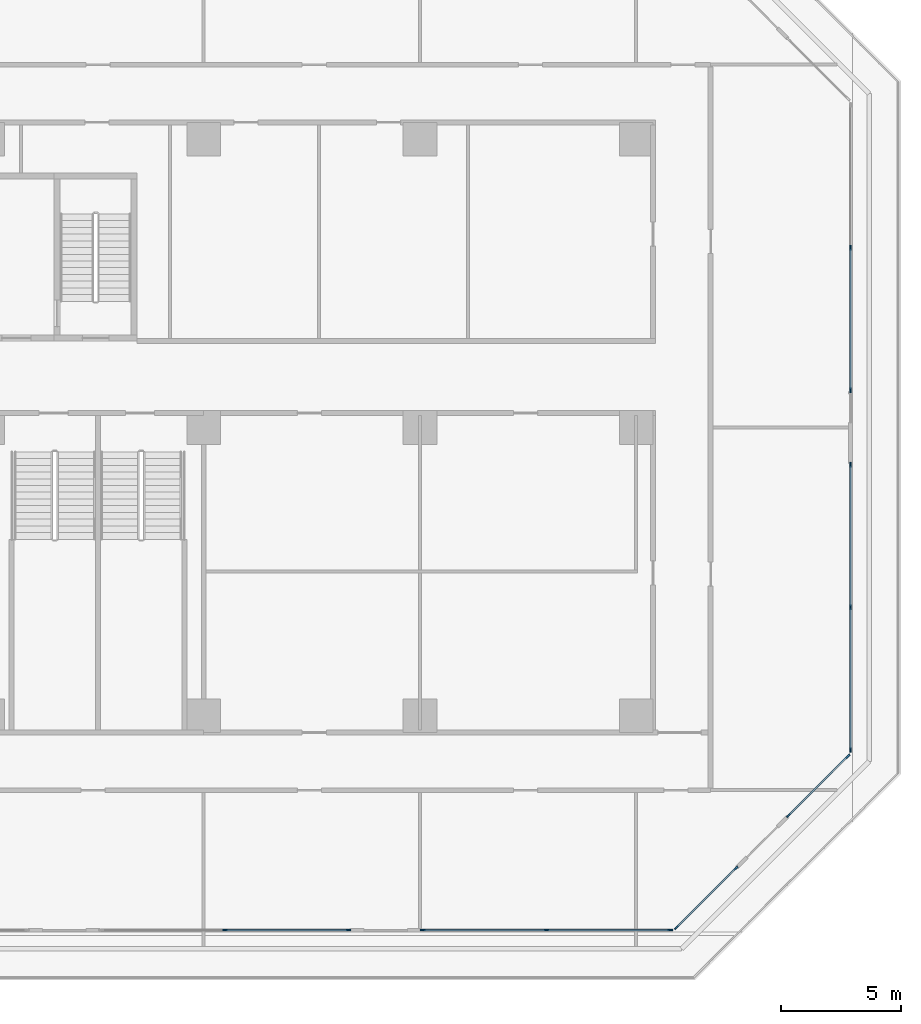
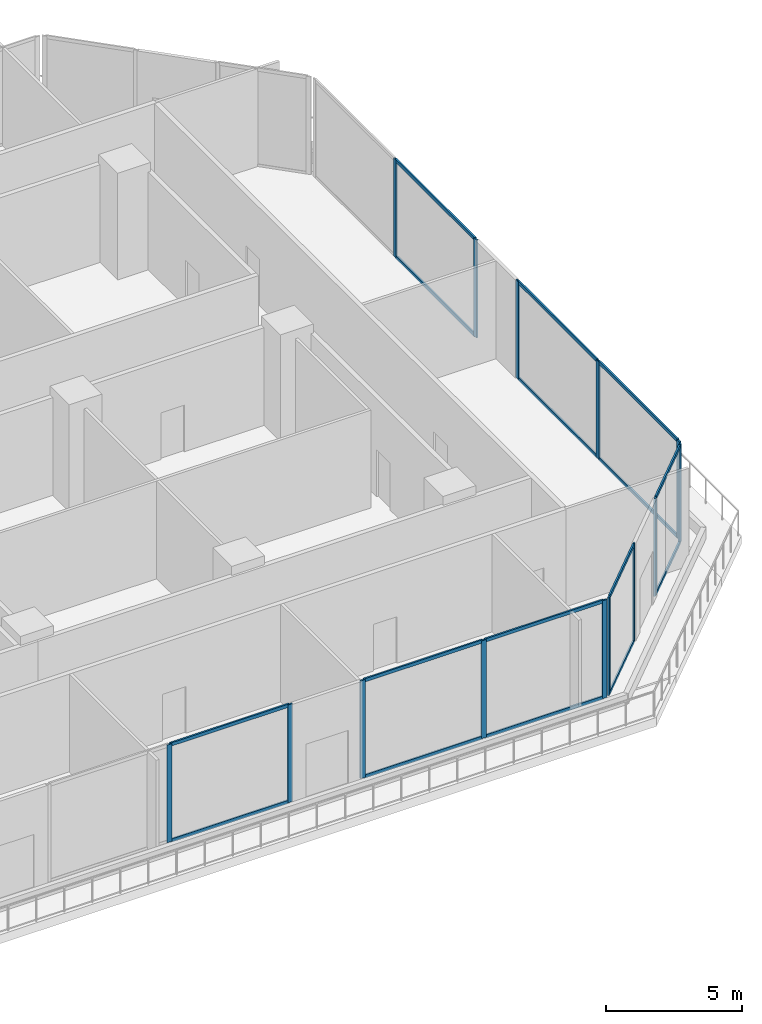
# One storey, part 6 of 26: 30 members, 6 elements without a shape of their own.
"""IFC4 building model written with IfcOpenShell, lengths in metres."""

from ifc_helpers import new_model, si_unit, direction, frame, origin, origin_2d, place, context, subcontext, project, spatial, rectangle, extrude, material, layer, layer_set, material_profile, profile_set, type_object, element, aggregate, save


model = new_model("IFC4")

# Units and contexts
model_context = context("Model", 3, precision=1e-05, world=origin(), true_north=direction((0.0, 1.0)))
body_context = subcontext(model_context, "Body", "Model", "MODEL_VIEW")
ifc_project = project(units=[si_unit("LENGTHUNIT", "METRE"), si_unit("AREAUNIT", "SQUARE_METRE"), si_unit("VOLUMEUNIT", "CUBIC_METRE"), si_unit("PLANEANGLEUNIT", "RADIAN"), si_unit("MASSUNIT", "GRAM", prefix="KILO")], contexts=[model_context])

# Site, building, storey
site_placement = place(None, origin())
site = spatial("IfcSite", under=ifc_project, at=site_placement, CompositionType="ELEMENT")
building_placement = place(site_placement, origin())
building = spatial("IfcBuilding", under=site, at=building_placement, Name="Chenar Terraces", CompositionType="ELEMENT")
storey_placement = place(building_placement, frame((0.0, 0.0, 16.800048828125)))
storey = spatial("IfcBuildingStorey", under=building, at=storey_placement, Name="L03", CompositionType="ELEMENT", Elevation=16.800048828125)

# Curtain wall, members
ifc_material_1 = material(Name="Aluminium framed glazing", Category="aluminium")
ifc_layer = layer(ifc_material_1, 0.14990234375)
ifc_layer_set = layer_set([ifc_layer], Name="Aluminium framed glazing")
curtain_wall_type = type_object("IfcCurtainWallType", Name="School curtain wall", PredefinedType="NOTDEFINED", material=ifc_layer_set)
placement = place(storey_placement, origin())
curtain_wall_1 = element("IfcCurtainWall", 1, at=placement, inside=storey, type_object=curtain_wall_type, Name="School curtain wall", PredefinedType="NOTDEFINED")
ifc_material_2 = material(Name="Aluminium", Category="aluminium")
ifc_material_profile_1 = material_profile(ifc_material_2, rectangle(XDim=0.070068359375, YDim=0.199951171875, at=origin_2d()), Name="School glazing mullion 70 x 200")
ifc_profile_set_1 = profile_set([ifc_material_profile_1], Name="Aluminium")
member_type_1 = type_object("IfcMemberType", Name="School glazing mullion 70 x 200", PredefinedType="MULLION", material=ifc_profile_set_1)
member_1_placement = place(storey_placement, frame((54.882568359375, -8.925048828125, 0.0), z_axis=(0.0, 0.0, 1.0), x_axis=(0.0, 1.0, 0.0)))
member_1 = element("IfcMember", 2, at=member_1_placement, type_object=member_type_1, Name="CW2-07c3 mullion 2", PredefinedType="MULLION", context=body_context, shape_type="SweptSolid", body=[
    extrude(rectangle(XDim=0.070068359375, YDim=0.199951171875, at=origin_2d()), origin(), (0.0, 0.0, 1.0), 4.39990234375),
])
member_2_placement = place(storey_placement, frame((60.0263671875, -8.925048828125, 0.0), z_axis=(0.0, 0.0, 1.0), x_axis=(0.0, 1.0, 0.0)))
member_2 = element("IfcMember", 3, at=member_2_placement, type_object=member_type_1, Name="CW2-07c3 mullion 3", PredefinedType="MULLION", context=body_context, shape_type="SweptSolid", body=[
    extrude(rectangle(XDim=0.070068359375, YDim=0.199951171875, at=origin_2d()), origin(), (0.0, 0.0, 1.0), 4.39990234375),
])

curtain_wall_2 = element("IfcCurtainWall", 4, at=placement, inside=storey, type_object=curtain_wall_type, Name="School curtain wall", PredefinedType="NOTDEFINED")
member_3_placement = place(storey_placement, frame((63.12158203125, -8.925048828125, 0.0), z_axis=(0.0, 0.0, 1.0), x_axis=(0.0, 1.0, 0.0)))
member_3 = element("IfcMember", 5, at=member_3_placement, type_object=member_type_1, Name="CW2-07c4 mullion 1", PredefinedType="MULLION", context=body_context, shape_type="SweptSolid", body=[
    extrude(rectangle(XDim=0.070068359375, YDim=0.199951171875, at=origin_2d()), origin(), (0.0, 0.0, 1.0), 4.39990234375),
])
member_4_placement = place(storey_placement, frame((68.271484375, -8.925048828125, 0.0), z_axis=(0.0, 0.0, 1.0), x_axis=(0.0, 1.0, 0.0)))
member_4 = element("IfcMember", 6, at=member_4_placement, type_object=member_type_1, Name="CW2-07c4 mullion 2", PredefinedType="MULLION", context=body_context, shape_type="SweptSolid", body=[
    extrude(rectangle(XDim=0.070068359375, YDim=0.199951171875, at=origin_2d()), origin(), (0.0, 0.0, 1.0), 4.39990234375),
])
member_5_placement = place(storey_placement, frame((73.421630859375, -8.925048828125, 0.0), z_axis=(0.0, 0.0, 1.0), x_axis=(0.0, 1.0, 0.0)))
member_5 = element("IfcMember", 7, at=member_5_placement, type_object=member_type_1, Name="CW2-07c4 mullion 3", PredefinedType="MULLION", context=body_context, shape_type="SweptSolid", body=[
    extrude(rectangle(XDim=0.070068359375, YDim=0.199951171875, at=origin_2d()), origin(), (0.0, 0.0, 1.0), 4.39990234375),
])

curtain_wall_3 = element("IfcCurtainWall", 8, at=placement, inside=storey, type_object=curtain_wall_type, Name="School curtain wall", PredefinedType="NOTDEFINED")
member_6_placement = place(storey_placement, frame((73.684326171875, -8.816162109375, 0.0), z_axis=(0.0, 0.0, 1.0), x_axis=(-0.707106781187, 0.707106781187, 0.0)))
member_6 = element("IfcMember", 9, at=member_6_placement, type_object=member_type_1, Name="CW2-08c0 mullion 1", PredefinedType="MULLION", context=body_context, shape_type="SweptSolid", body=[
    extrude(rectangle(XDim=0.070068359375, YDim=0.199951171875, at=origin_2d()), origin(), (0.0, 0.0, 1.0), 4.39990234375),
])
member_7_placement = place(storey_placement, frame((76.156005859375, -6.344482421875, 0.0), z_axis=(0.0, 0.0, 1.0), x_axis=(-0.707106781187, 0.707106781187, 0.0)))
member_7 = element("IfcMember", 10, at=member_7_placement, type_object=member_type_1, Name="CW2-08c0 mullion 2", PredefinedType="MULLION", context=body_context, shape_type="SweptSolid", body=[
    extrude(rectangle(XDim=0.070068359375, YDim=0.199951171875, at=origin_2d()), origin(), (0.0, 0.0, 1.0), 4.39990234375),
])

curtain_wall_4 = element("IfcCurtainWall", 11, at=placement, inside=storey, type_object=curtain_wall_type, Name="School curtain wall", PredefinedType="NOTDEFINED")
member_8_placement = place(storey_placement, frame((78.344482421875, -4.156005859375, 0.0), z_axis=(0.0, 0.0, 1.0), x_axis=(-0.707106781187, 0.707106781187, 0.0)))
member_8 = element("IfcMember", 12, at=member_8_placement, type_object=member_type_1, Name="CW2-08c1 mullion 1", PredefinedType="MULLION", context=body_context, shape_type="SweptSolid", body=[
    extrude(rectangle(XDim=0.070068359375, YDim=0.199951171875, at=origin_2d()), origin(), (0.0, 0.0, 1.0), 4.39990234375),
])
member_9_placement = place(storey_placement, frame((80.816162109375, -1.684326171875, 0.0), z_axis=(0.0, 0.0, 1.0), x_axis=(-0.707106781187, 0.707106781187, 0.0)))
member_9 = element("IfcMember", 13, at=member_9_placement, type_object=member_type_1, Name="CW2-08c1 mullion 2", PredefinedType="MULLION", context=body_context, shape_type="SweptSolid", body=[
    extrude(rectangle(XDim=0.070068359375, YDim=0.199951171875, at=origin_2d()), origin(), (0.0, 0.0, 1.0), 4.39990234375),
])

curtain_wall_5 = element("IfcCurtainWall", 14, at=placement, inside=storey, type_object=curtain_wall_type, Name="School curtain wall", PredefinedType="NOTDEFINED")
member_10_placement = place(storey_placement, frame((80.925048828125, -1.421630859375, 0.0), z_axis=(0.0, 0.0, 1.0), x_axis=(-1.0, 0.0, 0.0)))
member_10 = element("IfcMember", 15, at=member_10_placement, type_object=member_type_1, Name="CW2-09c0 mullion 1", PredefinedType="MULLION", context=body_context, shape_type="SweptSolid", body=[
    extrude(rectangle(XDim=0.070068359375, YDim=0.199951171875, at=origin_2d()), origin(), (0.0, 0.0, 1.0), 4.39990234375),
])
member_11_placement = place(storey_placement, frame((80.925048828125, 4.515380859375, 0.0), z_axis=(0.0, 0.0, 1.0), x_axis=(-1.0, 0.0, 0.0)))
member_11 = element("IfcMember", 16, at=member_11_placement, type_object=member_type_1, Name="CW2-09c0 mullion 2", PredefinedType="MULLION", context=body_context, shape_type="SweptSolid", body=[
    extrude(rectangle(XDim=0.070068359375, YDim=0.199951171875, at=origin_2d()), origin(), (0.0, 0.0, 1.0), 4.39990234375),
])
member_12_placement = place(storey_placement, frame((80.925048828125, 10.452392578125, 0.0), z_axis=(0.0, 0.0, 1.0), x_axis=(-1.0, 0.0, 0.0)))
member_12 = element("IfcMember", 17, at=member_12_placement, type_object=member_type_1, Name="CW2-09c0 mullion 3", PredefinedType="MULLION", context=body_context, shape_type="SweptSolid", body=[
    extrude(rectangle(XDim=0.070068359375, YDim=0.199951171875, at=origin_2d()), origin(), (0.0, 0.0, 1.0), 4.39990234375),
])

curtain_wall_6 = element("IfcCurtainWall", 18, at=placement, inside=storey, type_object=curtain_wall_type, Name="School curtain wall", PredefinedType="NOTDEFINED")
member_13_placement = place(storey_placement, frame((80.925048828125, 13.547607421875, 0.0), z_axis=(0.0, 0.0, 1.0), x_axis=(-1.0, 0.0, 0.0)))
member_13 = element("IfcMember", 19, at=member_13_placement, type_object=member_type_1, Name="CW2-09c1 mullion 1", PredefinedType="MULLION", context=body_context, shape_type="SweptSolid", body=[
    extrude(rectangle(XDim=0.070068359375, YDim=0.199951171875, at=origin_2d()), origin(), (0.0, 0.0, 1.0), 4.39990234375),
])
member_14_placement = place(storey_placement, frame((80.925048828125, 19.484619140625, 0.0), z_axis=(0.0, 0.0, 1.0), x_axis=(-1.0, 0.0, 0.0)))
member_14 = element("IfcMember", 20, at=member_14_placement, type_object=member_type_1, Name="CW2-09c1 mullion 2", PredefinedType="MULLION", context=body_context, shape_type="SweptSolid", body=[
    extrude(rectangle(XDim=0.070068359375, YDim=0.199951171875, at=origin_2d()), origin(), (0.0, 0.0, 1.0), 4.39990234375),
])

# Member
ifc_material_3 = material(Name="Aluminium", Category="aluminium")
ifc_material_profile_2 = material_profile(ifc_material_3, rectangle(XDim=0.070068359375, YDim=0.14990234375, at=origin_2d()), Name="School glazing transom 70 x 150")
ifc_profile_set_2 = profile_set([ifc_material_profile_2], Name="Aluminium")
member_type_2 = type_object("IfcMemberType", Name="School glazing transom 70 x 150", PredefinedType="USERDEFINED", material=ifc_profile_set_2)
member_15_placement = place(storey_placement, frame((54.917724609375, -8.925048828125, 0.034912109375), z_axis=(1.0, 0.0, 0.0), x_axis=(0.0, 1.0, 0.0)))
member_15 = element("IfcMember", 21, at=member_15_placement, type_object=member_type_2, Name="CW2-07c3 transom 2.1", ObjectType="TRANSOM", PredefinedType="USERDEFINED", context=body_context, shape_type="SweptSolid", body=[
    extrude(rectangle(XDim=0.070068359375, YDim=0.14990234375, at=origin_2d()), origin(), (0.0, 0.0, 1.0), 5.07373046875),
])

member_16_placement = place(storey_placement, frame((54.917724609375, -8.925048828125, 4.364990234375), z_axis=(1.0, 0.0, 0.0), x_axis=(0.0, 1.0, 0.0)))
member_16 = element("IfcMember", 22, at=member_16_placement, type_object=member_type_2, Name="CW2-07c3 transom 2.2", ObjectType="TRANSOM", PredefinedType="USERDEFINED", context=body_context, shape_type="SweptSolid", body=[
    extrude(rectangle(XDim=0.070068359375, YDim=0.14990234375, at=origin_2d()), origin(), (0.0, 0.0, 1.0), 5.07373046875),
])

aggregate(curtain_wall_1, [member_1, member_2, member_15, member_16])

member_17_placement = place(storey_placement, frame((63.156494140625, -8.925048828125, 0.034912109375), z_axis=(1.0, 0.0, 0.0), x_axis=(0.0, 1.0, 0.0)))
member_17 = element("IfcMember", 23, at=member_17_placement, type_object=member_type_2, Name="CW2-07c4 transom 1.1", ObjectType="TRANSOM", PredefinedType="USERDEFINED", context=body_context, shape_type="SweptSolid", body=[
    extrude(rectangle(XDim=0.070068359375, YDim=0.14990234375, at=origin_2d()), origin(), (0.0, 0.0, 1.0), 5.080078125),
])

member_18_placement = place(storey_placement, frame((63.156494140625, -8.925048828125, 4.364990234375), z_axis=(1.0, 0.0, 0.0), x_axis=(0.0, 1.0, 0.0)))
member_18 = element("IfcMember", 24, at=member_18_placement, type_object=member_type_2, Name="CW2-07c4 transom 1.2", ObjectType="TRANSOM", PredefinedType="USERDEFINED", context=body_context, shape_type="SweptSolid", body=[
    extrude(rectangle(XDim=0.070068359375, YDim=0.14990234375, at=origin_2d()), origin(), (0.0, 0.0, 1.0), 5.080078125),
])

member_19_placement = place(storey_placement, frame((68.306640625, -8.925048828125, 0.034912109375), z_axis=(1.0, 0.0, 0.0), x_axis=(0.0, 1.0, 0.0)))
member_19 = element("IfcMember", 25, at=member_19_placement, type_object=member_type_2, Name="CW2-07c4 transom 2.1", ObjectType="TRANSOM", PredefinedType="USERDEFINED", context=body_context, shape_type="SweptSolid", body=[
    extrude(rectangle(XDim=0.070068359375, YDim=0.14990234375, at=origin_2d()), origin(), (0.0, 0.0, 1.0), 5.080078125),
])

member_20_placement = place(storey_placement, frame((68.306640625, -8.925048828125, 4.364990234375), z_axis=(1.0, 0.0, 0.0), x_axis=(0.0, 1.0, 0.0)))
member_20 = element("IfcMember", 26, at=member_20_placement, type_object=member_type_2, Name="CW2-07c4 transom 2.2", ObjectType="TRANSOM", PredefinedType="USERDEFINED", context=body_context, shape_type="SweptSolid", body=[
    extrude(rectangle(XDim=0.070068359375, YDim=0.14990234375, at=origin_2d()), origin(), (0.0, 0.0, 1.0), 5.080078125),
])

aggregate(curtain_wall_2, [member_3, member_4, member_5, member_17, member_18, member_19, member_20])

member_21_placement = place(storey_placement, frame((73.709228515625, -8.79150390625, 0.034912109375), z_axis=(0.707106781187, 0.707106781187, 0.0), x_axis=(-0.707106781187, 0.707106781187, 0.0)))
member_21 = element("IfcMember", 27, at=member_21_placement, type_object=member_type_2, Name="CW2-08c0 transom 1.1", ObjectType="TRANSOM", PredefinedType="USERDEFINED", context=body_context, shape_type="SweptSolid", body=[
    extrude(rectangle(XDim=0.070068359375, YDim=0.14990234375, at=origin_2d()), origin(), (0.0, 0.0, 1.0), 3.42529296875),
])

member_22_placement = place(storey_placement, frame((73.709228515625, -8.79150390625, 4.364990234375), z_axis=(0.707106781187, 0.707106781187, 0.0), x_axis=(-0.707106781187, 0.707106781187, 0.0)))
member_22 = element("IfcMember", 28, at=member_22_placement, type_object=member_type_2, Name="CW2-08c0 transom 1.2", ObjectType="TRANSOM", PredefinedType="USERDEFINED", context=body_context, shape_type="SweptSolid", body=[
    extrude(rectangle(XDim=0.070068359375, YDim=0.14990234375, at=origin_2d()), origin(), (0.0, 0.0, 1.0), 3.42529296875),
])

aggregate(curtain_wall_3, [member_6, member_7, member_21, member_22])

member_23_placement = place(storey_placement, frame((78.369384765625, -4.13134765625, 0.034912109375), z_axis=(0.707106781187, 0.707106781187, 0.0), x_axis=(-0.707106781187, 0.707106781187, 0.0)))
member_23 = element("IfcMember", 29, at=member_23_placement, type_object=member_type_2, Name="CW2-08c1 transom 1.1", ObjectType="TRANSOM", PredefinedType="USERDEFINED", context=body_context, shape_type="SweptSolid", body=[
    extrude(rectangle(XDim=0.070068359375, YDim=0.14990234375, at=origin_2d()), origin(), (0.0, 0.0, 1.0), 3.42529296875),
])

member_24_placement = place(storey_placement, frame((78.369384765625, -4.13134765625, 4.364990234375), z_axis=(0.707106781187, 0.707106781187, 0.0), x_axis=(-0.707106781187, 0.707106781187, 0.0)))
member_24 = element("IfcMember", 30, at=member_24_placement, type_object=member_type_2, Name="CW2-08c1 transom 1.2", ObjectType="TRANSOM", PredefinedType="USERDEFINED", context=body_context, shape_type="SweptSolid", body=[
    extrude(rectangle(XDim=0.070068359375, YDim=0.14990234375, at=origin_2d()), origin(), (0.0, 0.0, 1.0), 3.42529296875),
])

aggregate(curtain_wall_4, [member_8, member_9, member_23, member_24])

member_25_placement = place(storey_placement, frame((80.925048828125, -1.38671875, 0.034912109375), z_axis=(0.0, 1.0, 0.0), x_axis=(-1.0, 0.0, 0.0)))
member_25 = element("IfcMember", 31, at=member_25_placement, type_object=member_type_2, Name="CW2-09c0 transom 1.1", ObjectType="TRANSOM", PredefinedType="USERDEFINED", context=body_context, shape_type="SweptSolid", body=[
    extrude(rectangle(XDim=0.070068359375, YDim=0.14990234375, at=origin_2d()), origin(), (0.0, 0.0, 1.0), 5.8671875),
])

member_26_placement = place(storey_placement, frame((80.925048828125, -1.38671875, 4.364990234375), z_axis=(0.0, 1.0, 0.0), x_axis=(-1.0, 0.0, 0.0)))
member_26 = element("IfcMember", 32, at=member_26_placement, type_object=member_type_2, Name="CW2-09c0 transom 1.2", ObjectType="TRANSOM", PredefinedType="USERDEFINED", context=body_context, shape_type="SweptSolid", body=[
    extrude(rectangle(XDim=0.070068359375, YDim=0.14990234375, at=origin_2d()), origin(), (0.0, 0.0, 1.0), 5.8671875),
])

member_27_placement = place(storey_placement, frame((80.925048828125, 4.550537109375, 0.034912109375), z_axis=(0.0, 1.0, 0.0), x_axis=(-1.0, 0.0, 0.0)))
member_27 = element("IfcMember", 33, at=member_27_placement, type_object=member_type_2, Name="CW2-09c0 transom 2.1", ObjectType="TRANSOM", PredefinedType="USERDEFINED", context=body_context, shape_type="SweptSolid", body=[
    extrude(rectangle(XDim=0.070068359375, YDim=0.14990234375, at=origin_2d()), origin(), (0.0, 0.0, 1.0), 5.866943359375),
])

member_28_placement = place(storey_placement, frame((80.925048828125, 4.550537109375, 4.364990234375), z_axis=(0.0, 1.0, 0.0), x_axis=(-1.0, 0.0, 0.0)))
member_28 = element("IfcMember", 34, at=member_28_placement, type_object=member_type_2, Name="CW2-09c0 transom 2.2", ObjectType="TRANSOM", PredefinedType="USERDEFINED", context=body_context, shape_type="SweptSolid", body=[
    extrude(rectangle(XDim=0.070068359375, YDim=0.14990234375, at=origin_2d()), origin(), (0.0, 0.0, 1.0), 5.866943359375),
])

aggregate(curtain_wall_5, [member_10, member_11, member_12, member_25, member_26, member_27, member_28])

member_29_placement = place(storey_placement, frame((80.925048828125, 13.58251953125, 0.034912109375), z_axis=(0.0, 1.0, 0.0), x_axis=(-1.0, 0.0, 0.0)))
member_29 = element("IfcMember", 35, at=member_29_placement, type_object=member_type_2, Name="CW2-09c1 transom 1.1", ObjectType="TRANSOM", PredefinedType="USERDEFINED", context=body_context, shape_type="SweptSolid", body=[
    extrude(rectangle(XDim=0.070068359375, YDim=0.14990234375, at=origin_2d()), origin(), (0.0, 0.0, 1.0), 5.866943359375),
])

member_30_placement = place(storey_placement, frame((80.925048828125, 13.58251953125, 4.364990234375), z_axis=(0.0, 1.0, 0.0), x_axis=(-1.0, 0.0, 0.0)))
member_30 = element("IfcMember", 36, at=member_30_placement, type_object=member_type_2, Name="CW2-09c1 transom 1.2", ObjectType="TRANSOM", PredefinedType="USERDEFINED", context=body_context, shape_type="SweptSolid", body=[
    extrude(rectangle(XDim=0.070068359375, YDim=0.14990234375, at=origin_2d()), origin(), (0.0, 0.0, 1.0), 5.866943359375),
])

aggregate(curtain_wall_6, [member_13, member_14, member_29, member_30])

save(model, "model.ifc")
